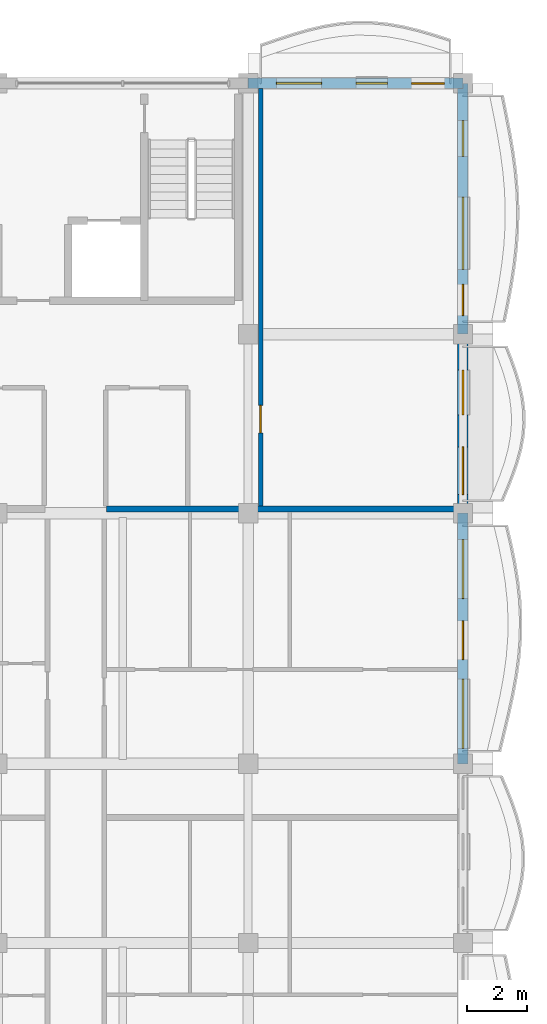
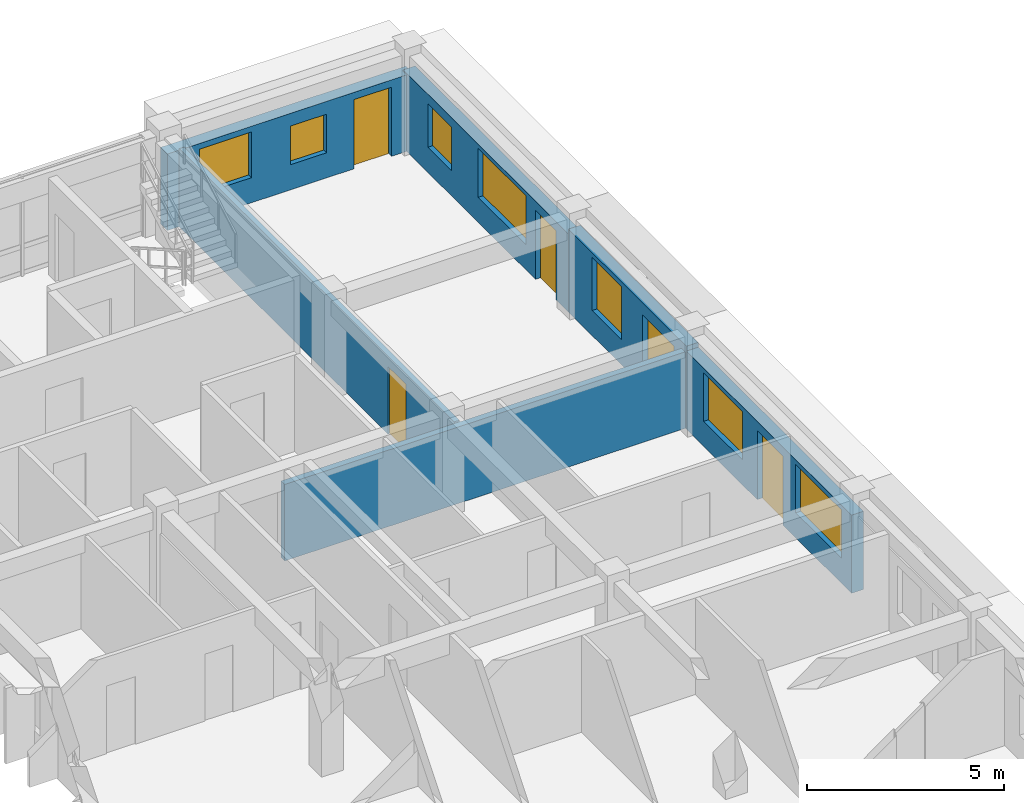
# One storey, part 49 of 79: 7 windows, 6 walls, 5 doors, 12 openings.
"""IFC4 building model written with IfcOpenShell, lengths in metres."""

from ifc_helpers import new_model, si_unit, direction, frame, frame_2d, origin, place, context, subcontext, project, spatial, rectangle, extrude, material, layer, layer_set, type_object, element, fill, save


model = new_model("IFC4")

# Units and contexts
model_context = context("Model", 3, precision=1e-05, world=origin(), true_north=direction((0.0, 1.0)))
body_context = subcontext(model_context, "Body", "Model", "MODEL_VIEW")
ifc_project = project(units=[si_unit("LENGTHUNIT", "METRE"), si_unit("AREAUNIT", "SQUARE_METRE"), si_unit("VOLUMEUNIT", "CUBIC_METRE"), si_unit("PLANEANGLEUNIT", "RADIAN"), si_unit("MASSUNIT", "GRAM", prefix="KILO"), si_unit("THERMODYNAMICTEMPERATUREUNIT", "KELVIN")], contexts=[model_context])

# Site, building, storey
site_placement = place(None, origin())
site = spatial("IfcSite", under=ifc_project, at=site_placement, CompositionType="ELEMENT")
building_placement = place(site_placement, origin())
building = spatial("IfcBuilding", under=site, at=building_placement, Name="Thalorik Housing Commons", CompositionType="ELEMENT")
storey_placement = place(building_placement, frame((0.0, 0.0, 11.39990234375)))
storey = spatial("IfcBuildingStorey", under=building, at=storey_placement, Name="L03", CompositionType="ELEMENT", Elevation=11.39990234375)

# Wall, opening, door
ifc_material_1 = material(Name="Masonry fire-rated corridor wall", Category="masonry")
ifc_layer_1 = layer(ifc_material_1, 0.14990234375, Name="Masonry fire-rated corridor wall", Category="masonry")
ifc_layer_set_1 = layer_set([ifc_layer_1], Name="Masonry fire-rated corridor wall")
wall_type_1 = type_object("IfcWallType", Name="ARC-WAL-CORR-150", PredefinedType="PARTITIONING", material=ifc_layer_set_1)
wall_1_placement = place(storey_placement, frame((167.219970703125, 109.4345703125, 0.0), z_axis=(0.0, 0.0, 1.0), x_axis=(0.0, 1.0, 0.0)))
wall_1 = element("IfcWall", 1, at=wall_1_placement, inside=storey, type_object=wall_type_1, Name="L03 Block B East Studio Wall", PredefinedType="PARTITIONING", context=body_context, shape_type="SweptSolid", body=[
    extrude(rectangle(XDim=13.988525390625, YDim=0.14990234375, at=frame_2d((6.994140625, 0.0))), origin(), (0.0, 0.0, 1.0), 2.425048828125),
])
opening_1_placement = place(wall_1_placement, frame((2.45556640625, 0.0, 0.0)))
opening_1 = element("IfcOpeningElement", 2, at=opening_1_placement, cuts=wall_1, Name="Opening ID-1098", PredefinedType="OPENING", context=body_context, shape_type="SweptSolid", body=[
    extrude(rectangle(XDim=0.919921875, YDim=2.10009765625, at=frame_2d((0.4599609375, 1.050048828125))), frame((0.0, 0.0849609375, 0.0), z_axis=(0.0, -1.0, 0.0), x_axis=(1.0, 0.0, 0.0)), (0.0, 0.0, 1.0), 0.169921875),
])
ifc_material_2 = material(Name="Solid core hardwood timber", Category="wood")
door_type_1 = type_object("IfcDoorType", Name="ARC-DR-FD30-920", OperationType="NOTDEFINED", PredefinedType="DOOR", material=ifc_material_2)
door_1_placement = place(opening_1_placement, origin())
door_1 = element("IfcDoor", 3, at=door_1_placement, inside=storey, type_object=door_type_1, Name="L03 Block B East Room Door", OperationType="SINGLE_SWING_LEFT", OverallHeight=2.10009765625, OverallWidth=0.919921875, PredefinedType="DOOR", context=body_context, shape_type="SweptSolid", body=[
    extrude(rectangle(XDim=0.919921875, YDim=2.10009765625, at=frame_2d((0.4599609375, 1.050048828125))), frame((0.0, 0.02490234375, 0.0), z_axis=(0.0, -1.0, 0.0), x_axis=(1.0, 0.0, 0.0)), (0.0, 0.0, 1.0), 0.050048828125),
])
fill(opening_1, door_1)

# Wall, openings, door, window
ifc_material_3 = material(Name="White precast concrete C40/50", Category="concrete")
ifc_layer_2 = layer(ifc_material_3, 0.35009765625, Name="White precast concrete C40/50", Category="concrete")
ifc_layer_set_2 = layer_set([ifc_layer_2], Name="White precast concrete C40/50")
wall_type_2 = type_object("IfcWallType", Name="ARC-WAL-EXT-350", PredefinedType="STANDARD", material=ifc_layer_set_2)
wall_2_placement = place(storey_placement, frame((174.0, 109.199951171875, 0.0), z_axis=(0.0, 0.0, 1.0), x_axis=(0.0, 1.0, 0.0)))
wall_2 = element("IfcWall", 4, at=wall_2_placement, inside=storey, type_object=wall_type_2, Name="L03 Exterior Wall WAL-EXT-L03-B-0483", PredefinedType="STANDARD", context=body_context, shape_type="SweptSolid", body=[
    extrude(rectangle(XDim=6.0, YDim=0.35009765625, at=frame_2d((3.0, 0.0))), origin(), (0.0, 0.0, 1.0), 2.5751953125),
])
opening_2_placement = place(wall_2_placement, frame((0.6201171875, 0.0, 0.0)))
opening_2 = element("IfcOpeningElement", 5, at=opening_2_placement, cuts=wall_2, Name="Opening ED-0140", PredefinedType="OPENING", context=body_context, shape_type="SweptSolid", body=[
    extrude(rectangle(XDim=1.60009765625, YDim=2.199951171875, at=frame_2d((0.800048828125, 1.10009765625))), frame((0.0, 0.18505859375, 0.0), z_axis=(0.0, -1.0, 0.0), x_axis=(1.0, 0.0, 0.0)), (0.0, 0.0, 1.0), 0.3701171875),
])
opening_3_placement = place(wall_2_placement, frame((3.2900390625, 0.0, 0.780029296875)))
opening_3 = element("IfcOpeningElement", 6, at=opening_3_placement, cuts=wall_2, Name="Opening W-11", PredefinedType="OPENING", context=body_context, shape_type="SweptSolid", body=[
    extrude(rectangle(XDim=1.5, YDim=1.64990234375, at=frame_2d((0.75, 0.824951171875))), frame((0.0, 0.18505859375, 0.0), z_axis=(0.0, -1.0, 0.0), x_axis=(1.0, 0.0, 0.0)), (0.0, 0.0, 1.0), 0.3701171875),
])
ifc_material_4 = material(Name="Anodised aluminium and laminated safety glass", Category="aluminium")
door_type_2 = type_object("IfcDoorType", Name="ARC-DR-BAL-1600", OperationType="NOTDEFINED", PredefinedType="DOOR", material=ifc_material_4)
door_2_placement = place(opening_2_placement, frame((1.60009765625, 0.0, 0.0), z_axis=(0.0, 0.0, 1.0), x_axis=(-1.0, 0.0, 0.0)))
door_2 = element("IfcDoor", 7, at=door_2_placement, inside=storey, type_object=door_type_2, Name="L03 Block B Balcony Glazed Door", OperationType="SLIDING_TO_LEFT", OverallHeight=2.199951171875, OverallWidth=1.60009765625, PredefinedType="DOOR", context=body_context, shape_type="SweptSolid", body=[
    extrude(rectangle(XDim=1.60009765625, YDim=2.199951171875, at=frame_2d((0.800048828125, 1.10009765625))), frame((0.0, 0.02490234375, 0.0), z_axis=(0.0, -1.0, 0.0), x_axis=(1.0, 0.0, 0.0)), (0.0, 0.0, 1.0), 0.050048828125),
])
fill(opening_2, door_2)
ifc_material_5 = material(Name="Anodised aluminium and solar-control low-E glass", Category="aluminium")
window_type_1 = type_object("IfcWindowType", Name="ARC-WIN-11", PartitioningType="SINGLE_PANEL", PredefinedType="WINDOW", material=ifc_material_5)
window_1_placement = place(opening_3_placement, origin())
window_1 = element("IfcWindow", 8, at=window_1_placement, inside=storey, type_object=window_type_1, Name="L03 Facade Window 871", OverallHeight=1.64990234375, OverallWidth=1.5, PartitioningType="SINGLE_PANEL", PredefinedType="WINDOW", context=body_context, shape_type="SweptSolid", body=[
    extrude(rectangle(XDim=1.5, YDim=1.64990234375, at=frame_2d((0.75, 0.824951171875))), frame((0.0, 0.030029296875, 0.0), z_axis=(0.0, -1.0, 0.0), x_axis=(1.0, 0.0, 0.0)), (0.0, 0.0, 1.0), 0.06005859375),
])
fill(opening_3, window_1)

# Wall, openings, door, windows
wall_3_placement = place(storey_placement, frame((174.0, 115.199951171875, 0.0), z_axis=(0.0, 0.0, 1.0), x_axis=(0.0, 1.0, 0.0)))
wall_3 = element("IfcWall", 9, at=wall_3_placement, inside=storey, type_object=wall_type_2, Name="L03 Exterior Wall WAL-EXT-L03-B-0484", PredefinedType="STANDARD", context=body_context, shape_type="SweptSolid", body=[
    extrude(rectangle(XDim=8.400146484375, YDim=0.35009765625, at=frame_2d((4.2001953125, 0.0))), origin(), (0.0, 0.0, 1.0), 2.425048828125),
])
opening_4_placement = place(wall_3_placement, frame((0.6201171875, 0.0, 0.0)))
opening_4 = element("IfcOpeningElement", 10, at=opening_4_placement, cuts=wall_3, Name="Opening ED-0141", PredefinedType="OPENING", context=body_context, shape_type="SweptSolid", body=[
    extrude(rectangle(XDim=1.050048828125, YDim=2.14990234375, at=frame_2d((0.52490234375, 1.074951171875))), frame((0.0, 0.18505859375, 0.0), z_axis=(0.0, -1.0, 0.0), x_axis=(1.0, 0.0, 0.0)), (0.0, 0.0, 1.0), 0.3701171875),
])
opening_5_placement = place(wall_3_placement, frame((2.16748046875, 0.0, 0.780029296875)))
opening_5 = element("IfcOpeningElement", 11, at=opening_5_placement, cuts=wall_3, Name="Opening W-70", PredefinedType="OPENING", context=body_context, shape_type="SweptSolid", body=[
    extrude(rectangle(XDim=2.419921875, YDim=1.52001953125, at=frame_2d((1.2099609375, 0.760009765625))), frame((0.0, 0.18505859375, 0.0), z_axis=(0.0, -1.0, 0.0), x_axis=(1.0, 0.0, 0.0)), (0.0, 0.0, 1.0), 0.3701171875),
])
opening_6_placement = place(wall_3_placement, frame((5.952392578125, 0.0, 0.780029296875)))
opening_6 = element("IfcOpeningElement", 12, at=opening_6_placement, cuts=wall_3, Name="Opening W-04", PredefinedType="OPENING", context=body_context, shape_type="SweptSolid", body=[
    extrude(rectangle(XDim=1.199951171875, YDim=1.35009765625, at=frame_2d((0.60009765625, 0.675048828125))), frame((0.0, 0.18505859375, 0.0), z_axis=(0.0, -1.0, 0.0), x_axis=(1.0, 0.0, 0.0)), (0.0, 0.0, 1.0), 0.3701171875),
])
door_type_3 = type_object("IfcDoorType", Name="ARC-DR-BAL-1050", OperationType="NOTDEFINED", PredefinedType="DOOR", material=ifc_material_4)
door_3_placement = place(opening_4_placement, frame((1.050048828125, 0.0, 0.0), z_axis=(0.0, 0.0, 1.0), x_axis=(-1.0, 0.0, 0.0)))
door_3 = element("IfcDoor", 13, at=door_3_placement, inside=storey, type_object=door_type_3, Name="L03 Block B Balcony Glazed Door", OperationType="SINGLE_SWING_RIGHT", OverallHeight=2.14990234375, OverallWidth=1.050048828125, PredefinedType="DOOR", context=body_context, shape_type="SweptSolid", body=[
    extrude(rectangle(XDim=1.050048828125, YDim=2.14990234375, at=frame_2d((0.52490234375, 1.074951171875))), frame((0.0, 0.02490234375, 0.0), z_axis=(0.0, -1.0, 0.0), x_axis=(1.0, 0.0, 0.0)), (0.0, 0.0, 1.0), 0.050048828125),
])
fill(opening_4, door_3)
window_type_2 = type_object("IfcWindowType", Name="ARC-WIN-04", PartitioningType="SINGLE_PANEL", PredefinedType="WINDOW", material=ifc_material_5)
window_2_placement = place(opening_6_placement, origin())
window_2 = element("IfcWindow", 14, at=window_2_placement, inside=storey, type_object=window_type_2, Name="L03 Facade Window 873", OverallHeight=1.35009765625, OverallWidth=1.199951171875, PartitioningType="SINGLE_PANEL", PredefinedType="WINDOW", context=body_context, shape_type="SweptSolid", body=[
    extrude(rectangle(XDim=1.199951171875, YDim=1.35009765625, at=frame_2d((0.60009765625, 0.675048828125))), frame((0.0, 0.030029296875, 0.0), z_axis=(0.0, -1.0, 0.0), x_axis=(1.0, 0.0, 0.0)), (0.0, 0.0, 1.0), 0.06005859375),
])
fill(opening_6, window_2)
window_type_3 = type_object("IfcWindowType", Name="ARC-WIN-70", PartitioningType="DOUBLE_PANEL_VERTICAL", PredefinedType="WINDOW", material=ifc_material_5)
window_3_placement = place(opening_5_placement, origin())
window_3 = element("IfcWindow", 15, at=window_3_placement, inside=storey, type_object=window_type_3, Name="L03 Facade Window 872", OverallHeight=1.52001953125, OverallWidth=2.419921875, PartitioningType="DOUBLE_PANEL_VERTICAL", PredefinedType="WINDOW", context=body_context, shape_type="SweptSolid", body=[
    extrude(rectangle(XDim=2.419921875, YDim=1.52001953125, at=frame_2d((1.2099609375, 0.760009765625))), frame((0.0, 0.030029296875, 0.0), z_axis=(0.0, -1.0, 0.0), x_axis=(1.0, 0.0, 0.0)), (0.0, 0.0, 1.0), 0.06005859375),
])
fill(opening_5, window_3)

wall_4_placement = place(storey_placement, frame((174.0, 123.60009765625, 0.0), z_axis=(0.0, 0.0, 1.0), x_axis=(-1.0, 0.0, 0.0)))
wall_4 = element("IfcWall", 16, at=wall_4_placement, inside=storey, type_object=wall_type_2, Name="L03 Exterior Wall WAL-EXT-L03-B-0485", PredefinedType="STANDARD", context=body_context, shape_type="SweptSolid", body=[
    extrude(rectangle(XDim=7.199951171875, YDim=0.35009765625, at=frame_2d((3.60009765625, 0.0))), origin(), (0.0, 0.0, 1.0), 2.375),
])
opening_7_placement = place(wall_4_placement, frame((0.6201171875, 0.0, 0.0)))
opening_7 = element("IfcOpeningElement", 17, at=opening_7_placement, cuts=wall_4, Name="Opening ED-0142", PredefinedType="OPENING", context=body_context, shape_type="SweptSolid", body=[
    extrude(rectangle(XDim=1.10009765625, YDim=2.14990234375, at=frame_2d((0.550048828125, 1.074951171875))), frame((0.0, 0.18505859375, 0.0), z_axis=(0.0, -1.0, 0.0), x_axis=(1.0, 0.0, 0.0)), (0.0, 0.0, 1.0), 0.3701171875),
])
opening_8_placement = place(wall_4_placement, frame((2.532470703125, 0.0, 0.780029296875)))
opening_8 = element("IfcOpeningElement", 18, at=opening_8_placement, cuts=wall_4, Name="Opening W-44", PredefinedType="OPENING", context=body_context, shape_type="SweptSolid", body=[
    extrude(rectangle(XDim=1.050048828125, YDim=1.199951171875, at=frame_2d((0.52490234375, 0.60009765625))), frame((0.0, 0.18505859375, 0.0), z_axis=(0.0, -1.0, 0.0), x_axis=(1.0, 0.0, 0.0)), (0.0, 0.0, 1.0), 0.3701171875),
])
opening_9_placement = place(wall_4_placement, frame((4.732421875, 0.0, 0.780029296875)))
opening_9 = element("IfcOpeningElement", 19, at=opening_9_placement, cuts=wall_4, Name="Opening W-52", PredefinedType="OPENING", context=body_context, shape_type="SweptSolid", body=[
    extrude(rectangle(XDim=1.52001953125, YDim=1.419921875, at=frame_2d((0.760009765625, 0.7099609375))), frame((0.0, 0.18505859375, 0.0), z_axis=(0.0, -1.0, 0.0), x_axis=(1.0, 0.0, 0.0)), (0.0, 0.0, 1.0), 0.3701171875),
])
door_type_4 = type_object("IfcDoorType", Name="ARC-DR-BAL-1100", OperationType="NOTDEFINED", PredefinedType="DOOR", material=ifc_material_4)
door_4_placement = place(opening_7_placement, frame((1.10009765625, 0.0, 0.0), z_axis=(0.0, 0.0, 1.0), x_axis=(-1.0, 0.0, 0.0)))
door_4 = element("IfcDoor", 20, at=door_4_placement, inside=storey, type_object=door_type_4, Name="L03 Block B Balcony Glazed Door", OperationType="SINGLE_SWING_LEFT", OverallHeight=2.14990234375, OverallWidth=1.10009765625, PredefinedType="DOOR", context=body_context, shape_type="SweptSolid", body=[
    extrude(rectangle(XDim=1.10009765625, YDim=2.14990234375, at=frame_2d((0.550048828125, 1.074951171875))), frame((0.0, 0.02490234375, 0.0), z_axis=(0.0, -1.0, 0.0), x_axis=(1.0, 0.0, 0.0)), (0.0, 0.0, 1.0), 0.050048828125),
])
fill(opening_7, door_4)
window_type_4 = type_object("IfcWindowType", Name="ARC-WIN-44", PartitioningType="SINGLE_PANEL", PredefinedType="WINDOW", material=ifc_material_5)
window_4_placement = place(opening_8_placement, origin())
window_4 = element("IfcWindow", 21, at=window_4_placement, inside=storey, type_object=window_type_4, Name="L03 Facade Window 874", OverallHeight=1.199951171875, OverallWidth=1.050048828125, PartitioningType="SINGLE_PANEL", PredefinedType="WINDOW", context=body_context, shape_type="SweptSolid", body=[
    extrude(rectangle(XDim=1.050048828125, YDim=1.199951171875, at=frame_2d((0.52490234375, 0.60009765625))), frame((0.0, 0.030029296875, 0.0), z_axis=(0.0, -1.0, 0.0), x_axis=(1.0, 0.0, 0.0)), (0.0, 0.0, 1.0), 0.06005859375),
])
fill(opening_8, window_4)
window_type_5 = type_object("IfcWindowType", Name="ARC-WIN-52", PartitioningType="SINGLE_PANEL", PredefinedType="WINDOW", material=ifc_material_5)
window_5_placement = place(opening_9_placement, origin())
window_5 = element("IfcWindow", 22, at=window_5_placement, inside=storey, type_object=window_type_5, Name="L03 Facade Window 875", OverallHeight=1.419921875, OverallWidth=1.52001953125, PartitioningType="SINGLE_PANEL", PredefinedType="WINDOW", context=body_context, shape_type="SweptSolid", body=[
    extrude(rectangle(XDim=1.52001953125, YDim=1.419921875, at=frame_2d((0.760009765625, 0.7099609375))), frame((0.0, 0.030029296875, 0.0), z_axis=(0.0, -1.0, 0.0), x_axis=(1.0, 0.0, 0.0)), (0.0, 0.0, 1.0), 0.06005859375),
])
fill(opening_9, window_5)

wall_5_placement = place(storey_placement, frame((174.0, 100.800048828125, 0.0), z_axis=(0.0, 0.0, 1.0), x_axis=(0.0, 1.0, 0.0)))
wall_5 = element("IfcWall", 23, at=wall_5_placement, inside=storey, type_object=wall_type_2, Name="L03 Exterior Wall WAL-EXT-L03-B-0520", PredefinedType="STANDARD", context=body_context, shape_type="SweptSolid", body=[
    extrude(rectangle(XDim=8.39990234375, YDim=0.35009765625, at=frame_2d((4.199951171875, 0.0))), origin(), (0.0, 0.0, 1.0), 2.425048828125),
])
opening_10_placement = place(wall_5_placement, frame((3.4931640625, 0.0, 0.0)))
opening_10 = element("IfcOpeningElement", 24, at=opening_10_placement, cuts=wall_5, Name="Opening ED-0156", PredefinedType="OPENING", context=body_context, shape_type="SweptSolid", body=[
    extrude(rectangle(XDim=1.300048828125, YDim=2.14990234375, at=frame_2d((0.64990234375, 1.074951171875))), frame((0.0, 0.18505859375, 0.0), z_axis=(0.0, -1.0, 0.0), x_axis=(1.0, 0.0, 0.0)), (0.0, 0.0, 1.0), 0.3701171875),
])
opening_11_placement = place(wall_5_placement, frame((0.5166015625, 0.0, 0.780029296875)))
opening_11 = element("IfcOpeningElement", 25, at=opening_11_placement, cuts=wall_5, Name="Opening W-68", PredefinedType="OPENING", context=body_context, shape_type="SweptSolid", body=[
    extrude(rectangle(XDim=2.320068359375, YDim=1.5, at=frame_2d((1.16015625, 0.75))), frame((0.0, 0.18505859375, 0.0), z_axis=(0.0, -1.0, 0.0), x_axis=(1.0, 0.0, 0.0)), (0.0, 0.0, 1.0), 0.3701171875),
])
opening_12_placement = place(wall_5_placement, frame((5.53662109375, 0.0, 0.780029296875)))
opening_12 = element("IfcOpeningElement", 26, at=opening_12_placement, cuts=wall_5, Name="Opening W-61", PredefinedType="OPENING", context=body_context, shape_type="SweptSolid", body=[
    extrude(rectangle(XDim=1.97998046875, YDim=1.5, at=frame_2d((0.989990234375, 0.75))), frame((0.0, 0.18505859375, 0.0), z_axis=(0.0, -1.0, 0.0), x_axis=(1.0, 0.0, 0.0)), (0.0, 0.0, 1.0), 0.3701171875),
])
door_type_5 = type_object("IfcDoorType", Name="ARC-DR-BAL-1300", OperationType="NOTDEFINED", PredefinedType="DOOR", material=ifc_material_4)
door_5_placement = place(opening_10_placement, frame((1.300048828125, 0.0, 0.0), z_axis=(0.0, 0.0, 1.0), x_axis=(-1.0, 0.0, 0.0)))
door_5 = element("IfcDoor", 27, at=door_5_placement, inside=storey, type_object=door_type_5, Name="L03 Block B Balcony Glazed Door", OperationType="SINGLE_SWING_LEFT", OverallHeight=2.14990234375, OverallWidth=1.300048828125, PredefinedType="DOOR", context=body_context, shape_type="SweptSolid", body=[
    extrude(rectangle(XDim=1.300048828125, YDim=2.14990234375, at=frame_2d((0.64990234375, 1.074951171875))), frame((0.0, 0.02490234375, 0.0), z_axis=(0.0, -1.0, 0.0), x_axis=(1.0, 0.0, 0.0)), (0.0, 0.0, 1.0), 0.050048828125),
])
fill(opening_10, door_5)
window_type_6 = type_object("IfcWindowType", Name="ARC-WIN-61", PartitioningType="DOUBLE_PANEL_VERTICAL", PredefinedType="WINDOW", material=ifc_material_5)
window_6_placement = place(opening_12_placement, origin())
window_6 = element("IfcWindow", 28, at=window_6_placement, inside=storey, type_object=window_type_6, Name="L03 Facade Window 938", OverallHeight=1.5, OverallWidth=1.97998046875, PartitioningType="DOUBLE_PANEL_VERTICAL", PredefinedType="WINDOW", context=body_context, shape_type="SweptSolid", body=[
    extrude(rectangle(XDim=1.97998046875, YDim=1.5, at=frame_2d((0.989990234375, 0.75))), frame((0.0, 0.030029296875, 0.0), z_axis=(0.0, -1.0, 0.0), x_axis=(1.0, 0.0, 0.0)), (0.0, 0.0, 1.0), 0.06005859375),
])
fill(opening_12, window_6)
window_type_7 = type_object("IfcWindowType", Name="ARC-WIN-68", PartitioningType="DOUBLE_PANEL_VERTICAL", PredefinedType="WINDOW", material=ifc_material_5)
window_7_placement = place(opening_11_placement, origin())
window_7 = element("IfcWindow", 29, at=window_7_placement, inside=storey, type_object=window_type_7, Name="L03 Facade Window 937", OverallHeight=1.5, OverallWidth=2.320068359375, PartitioningType="DOUBLE_PANEL_VERTICAL", PredefinedType="WINDOW", context=body_context, shape_type="SweptSolid", body=[
    extrude(rectangle(XDim=2.320068359375, YDim=1.5, at=frame_2d((1.16015625, 0.75))), frame((0.0, 0.030029296875, 0.0), z_axis=(0.0, -1.0, 0.0), x_axis=(1.0, 0.0, 0.0)), (0.0, 0.0, 1.0), 0.06005859375),
])
fill(opening_11, window_7)

# Wall
ifc_material_6 = material(Name="Masonry acoustic blockwork wall", Category="masonry")
ifc_layer_3 = layer(ifc_material_6, 0.18505859375, Name="Masonry acoustic blockwork wall", Category="masonry")
ifc_layer_set_3 = layer_set([ifc_layer_3], Name="Masonry acoustic blockwork wall")
wall_type_3 = type_object("IfcWallType", Name="ARC-WAL-PARTY-185", PredefinedType="PARTITIONING", material=ifc_layer_set_3)
wall_6_placement = place(storey_placement, frame((162.056884765625, 109.340087890625, 0.0), z_axis=(0.0, 0.0, 1.0), x_axis=(1.0, 0.0, 0.0)))
element("IfcWall", 30, at=wall_6_placement, inside=storey, type_object=wall_type_3, Name="L03 Core End Wall B", PredefinedType="PARTITIONING", context=body_context, shape_type="SweptSolid", body=[
    extrude(rectangle(XDim=11.76611328125, YDim=0.18505859375, at=frame_2d((5.883056640625, 0.0))), origin(), (0.0, 0.0, 1.0), 2.375),
])

save(model, "model.ifc")
